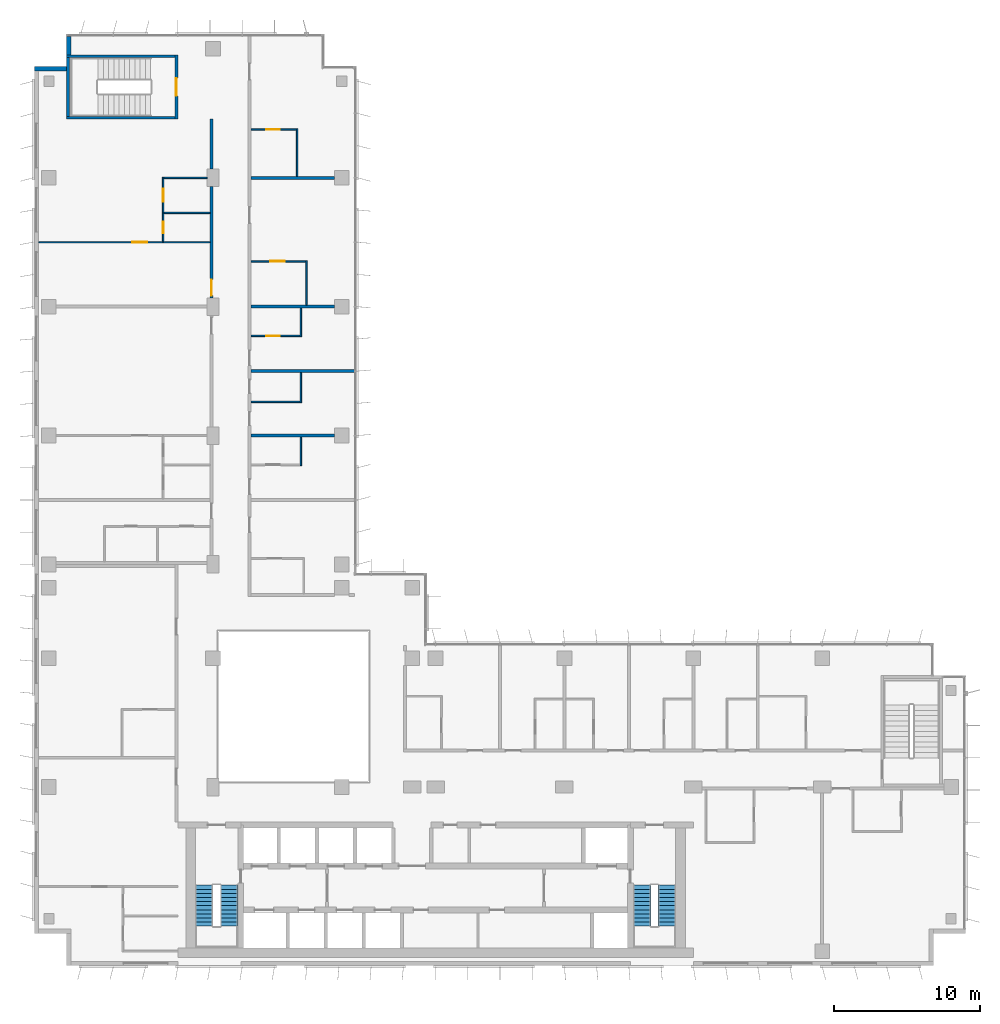
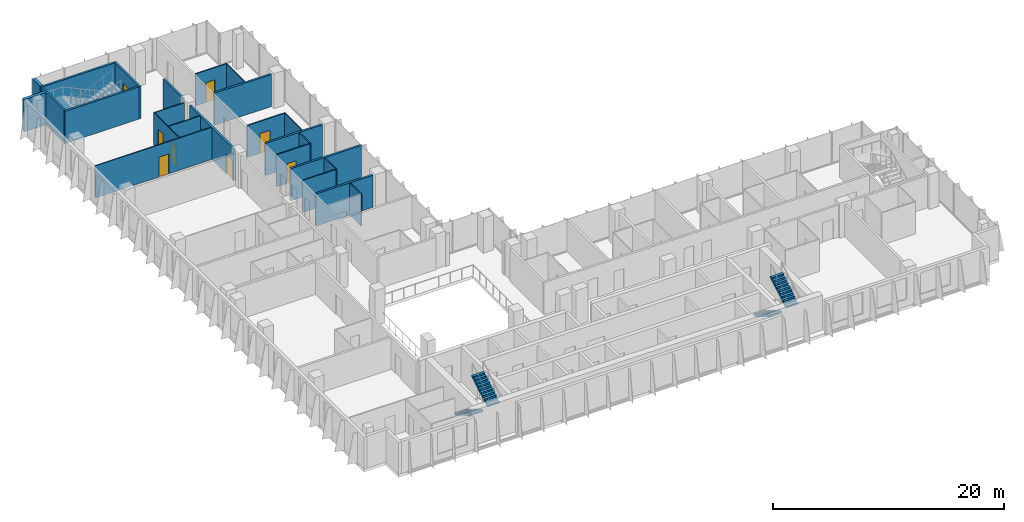
# One storey, part 17 of 21: 25 walls, 8 doors, 4 stair flights, 8 openings, 2 elements without a shape of their own.
"""IFC4 building model written with IfcOpenShell, lengths in metres."""

from ifc_helpers import new_model, si_unit, direction, frame, frame_2d, origin, place, context, subcontext, project, spatial, polyline, rectangle, outline, extrude, material, layer, layer_set, type_object, element, fill, aggregate, save


model = new_model("IFC4")

# Units and contexts
model_context = context("Model", 3, precision=1e-05, world=origin(), true_north=direction((0.0, 1.0)))
body_context = subcontext(model_context, "Body", "Model", "MODEL_VIEW")
ifc_project = project(units=[si_unit("LENGTHUNIT", "METRE"), si_unit("AREAUNIT", "SQUARE_METRE"), si_unit("VOLUMEUNIT", "CUBIC_METRE"), si_unit("PLANEANGLEUNIT", "RADIAN"), si_unit("MASSUNIT", "GRAM", prefix="KILO")], contexts=[model_context])

# Site, building, storey
site_placement = place(None, origin())
site = spatial("IfcSite", under=ifc_project, at=site_placement, CompositionType="ELEMENT")
building_placement = place(site_placement, origin())
building = spatial("IfcBuilding", under=site, at=building_placement, Name="Kemantara Hotel Tower", CompositionType="ELEMENT")
storey_placement = place(building_placement, frame((0.0, 0.0, 171.60009765625)))
storey = spatial("IfcBuildingStorey", under=building, at=storey_placement, Name="L42", CompositionType="ELEMENT", Elevation=171.60009765625)

# Walls
ifc_material_1 = material(Name="Bronze anodised aluminium cladding on insulated steel stud wall", Category="steel")
ifc_layer_1 = layer(ifc_material_1, 0.300048828125)
ifc_layer_set_1 = layer_set([ifc_layer_1], Name="Bronze anodised aluminium cladding on insulated steel stud wall")
wall_type_1 = type_object("IfcWallType", Name="BRONZE METAL-CLAD EXTERNAL WALL 300", PredefinedType="STANDARD", material=ifc_layer_set_1)
wall_1_placement = place(storey_placement, frame((2.35009765625, 63.449951171875, 0.0), z_axis=(0.0, 0.0, 1.0), x_axis=(0.0, -1.0, 0.0)))
element("IfcWall", 1, at=wall_1_placement, inside=storey, type_object=wall_type_1, Name="EXTERNAL WALL L42 T3-R03", PredefinedType="STANDARD", context=body_context, shape_type="SweptSolid", body=[
    extrude(rectangle(XDim=1.25, YDim=0.300048828125, at=frame_2d((0.625, 0.0))), origin(), (0.0, 0.0, 1.0), 3.39990234375),
])
wall_2_placement = place(storey_placement, frame((2.199951171875, 61.25, 0.0), z_axis=(0.0, 0.0, 1.0), x_axis=(-1.0, 0.0, 0.0)))
element("IfcWall", 2, at=wall_2_placement, inside=storey, type_object=wall_type_1, Name="EXTERNAL WALL L42 T3-R04", PredefinedType="STANDARD", context=body_context, shape_type="SweptSolid", body=[
    extrude(rectangle(XDim=2.199951171875, YDim=0.300048828125, at=frame_2d((1.10009765625, 0.0))), origin(), (0.0, 0.0, 1.0), 3.39990234375),
])

# Wall, opening, door
ifc_material_2 = material(Name="Gypsum board partition, steel studs and mineral wool, 200 mm", Category="steel")
ifc_layer_2 = layer(ifc_material_2, 0.199951171875)
ifc_layer_set_2 = layer_set([ifc_layer_2], Name="Gypsum board partition, steel studs and mineral wool, 200 mm")
wall_type_2 = type_object("IfcWallType", Name="CORRIDOR WALL 200", PredefinedType="PARTITIONING", material=ifc_layer_set_2)
wall_3_placement = place(storey_placement, frame((12.10009765625, 45.60009765625, 0.0), z_axis=(0.0, 0.0, 1.0), x_axis=(0.0, 1.0, 0.0)))
wall_3 = element("IfcWall", 3, at=wall_3_placement, inside=storey, type_object=wall_type_2, Name="CORRIDOR WALL 200 018", PredefinedType="PARTITIONING", context=body_context, shape_type="SweptSolid", body=[
    extrude(rectangle(XDim=7.599853515625, YDim=0.199951171875, at=frame_2d((3.7998046875, 0.0))), origin(), (0.0, 0.0, 1.0), 3.39990234375),
])
opening_1_placement = place(wall_3_placement, frame((0.14990234375, 0.0, 0.0)))
opening_1 = element("IfcOpeningElement", 4, at=opening_1_placement, cuts=wall_3, Name="Opening F19-030", PredefinedType="OPENING", context=body_context, shape_type="SweptSolid", body=[
    extrude(rectangle(XDim=1.10009765625, YDim=2.10009765625, at=frame_2d((0.550048828125, 1.050048828125))), frame((0.0, 0.10986328125, 0.0), z_axis=(0.0, -1.0, 0.0), x_axis=(1.0, 0.0, 0.0)), (0.0, 0.0, 1.0), 0.219970703125),
])
ifc_material_3 = material(Name="Hardwood veneer door leaf with steel frame", Category="steel")
door_type_1 = type_object("IfcDoorType", Name="SUITE ENTRANCE DOOR 1100 X 2100 FD30S", OperationType="NOTDEFINED", PredefinedType="DOOR", material=ifc_material_3)
door_1_placement = place(opening_1_placement, origin())
door_1 = element("IfcDoor", 5, at=door_1_placement, inside=storey, type_object=door_type_1, Name="SUITE ENTRANCE DOOR F19-030", OperationType="SINGLE_SWING_LEFT", OverallHeight=2.10009765625, OverallWidth=1.10009765625, PredefinedType="DOOR", context=body_context, shape_type="SweptSolid", body=[
    extrude(rectangle(XDim=1.10009765625, YDim=2.10009765625, at=frame_2d((0.550048828125, 1.050048828125))), frame((0.0, 0.02490234375, 0.0), z_axis=(0.0, -1.0, 0.0), x_axis=(1.0, 0.0, 0.0)), (0.0, 0.0, 1.0), 0.050048828125),
])
fill(opening_1, door_1)

# Wall
wall_4_placement = place(storey_placement, frame((12.10009765625, 54.400146484375, 0.0), z_axis=(0.0, 0.0, 1.0), x_axis=(0.0, 1.0, 0.0)))
element("IfcWall", 6, at=wall_4_placement, inside=storey, type_object=wall_type_2, Name="CORRIDOR WALL 200 019", PredefinedType="PARTITIONING", context=body_context, shape_type="SweptSolid", body=[
    extrude(rectangle(XDim=3.39990234375, YDim=0.199951171875, at=frame_2d((1.699951171875, 0.0))), origin(), (0.0, 0.0, 1.0), 3.39990234375),
])

# Wall, opening, door
ifc_material_4 = material(Name="Concrete fc 40 MPa", Category="concrete")
ifc_layer_3 = layer(ifc_material_4, 0.199951171875)
ifc_layer_set_3 = layer_set([ifc_layer_3], Name="Concrete fc 40 MPa")
wall_type_3 = type_object("IfcWallType", Name="Concrete stair wall 200 mm", PredefinedType="SHEAR", material=ifc_layer_set_3)
wall_5_placement = place(storey_placement, frame((9.699951171875, 57.800048828125, 0.0), z_axis=(0.0, 0.0, 1.0), x_axis=(0.0, 1.0, 0.0)))
wall_5 = element("IfcWall", 7, at=wall_5_placement, inside=storey, type_object=wall_type_3, Name="Stair ST4 enclosure wall with door", PredefinedType="SHEAR", context=body_context, shape_type="SweptSolid", body=[
    extrude(rectangle(XDim=4.39990234375, YDim=0.199951171875, at=frame_2d((2.199951171875, 0.0))), origin(), (0.0, 0.0, 1.0), 3.39990234375),
])
opening_2_placement = place(wall_5_placement, frame((1.60009765625, 0.0, 0.0)))
opening_2 = element("IfcOpeningElement", 8, at=opening_2_placement, cuts=wall_5, Name="Opening ST4-C", PredefinedType="OPENING", context=body_context, shape_type="SweptSolid", body=[
    extrude(rectangle(XDim=1.199951171875, YDim=2.10009765625, at=frame_2d((0.60009765625, 1.050048828125))), frame((0.0, 0.10986328125, 0.0), z_axis=(0.0, -1.0, 0.0), x_axis=(1.0, 0.0, 0.0)), (0.0, 0.0, 1.0), 0.219970703125),
])
ifc_material_5 = material(Name="Steel fire door", Category="steel")
door_type_2 = type_object("IfcDoorType", Name="Fire door FD90 1200 x 2100", OperationType="NOTDEFINED", PredefinedType="DOOR", material=ifc_material_5)
door_2_placement = place(opening_2_placement, origin())
door_2 = element("IfcDoor", 9, at=door_2_placement, inside=storey, type_object=door_type_2, Name="Stair ST4 door", OperationType="SINGLE_SWING_RIGHT", OverallHeight=2.10009765625, OverallWidth=1.199951171875, PredefinedType="DOOR", context=body_context, shape_type="SweptSolid", body=[
    extrude(rectangle(XDim=1.199951171875, YDim=2.10009765625, at=frame_2d((0.60009765625, 1.050048828125))), frame((0.0, 0.02490234375, 0.0), z_axis=(0.0, -1.0, 0.0), x_axis=(1.0, 0.0, 0.0)), (0.0, 0.0, 1.0), 0.050048828125),
])
fill(opening_2, door_2)

# Walls
for number, where, z_axis, x_axis, name in (
    (10, (2.199951171875, 62.10009765625, 0.0), (0.0, 0.0, 1.0), (1.0, 0.0, 0.0), "Stair ST4 enclosure wall N"),
    (11, (2.199951171875, 57.89990234375, 0.0), (0.0, 0.0, 1.0), (1.0, 0.0, 0.0), "Stair ST4 enclosure wall S"),
):
    element("IfcWall", number, at=place(storey_placement, frame(where, z_axis=z_axis, x_axis=x_axis)), inside=storey, type_object=wall_type_3, Name=name, PredefinedType="SHEAR", context=body_context, shape_type="SweptSolid", body=[
        extrude(rectangle(XDim=7.400146484375, YDim=0.199951171875, at=frame_2d((3.7001953125, 0.0))), origin(), (0.0, 0.0, 1.0), 3.39990234375),
    ])
wall_6_placement = place(storey_placement, frame((2.300048828125, 58.0, 0.0), z_axis=(0.0, 0.0, 1.0), x_axis=(0.0, 1.0, 0.0)))
element("IfcWall", 12, at=wall_6_placement, inside=storey, type_object=wall_type_3, Name="Stair ST4 enclosure wall W", PredefinedType="SHEAR", context=body_context, shape_type="SweptSolid", body=[
    extrude(rectangle(XDim=4.0, YDim=0.199951171875, at=frame_2d((2.0, 0.0))), origin(), (0.0, 0.0, 1.0), 3.39990234375),
])
ifc_layer_4 = layer(ifc_material_2, 0.199951171875)
ifc_layer_set_4 = layer_set([ifc_layer_4], Name="Gypsum board partition, steel studs and mineral wool, 200 mm")
wall_type_4 = type_object("IfcWallType", Name="GUEST ROOM PARTY WALL 200", PredefinedType="PARTITIONING", material=ifc_layer_set_4)
for number, where, z_axis, x_axis, name in (
    (13, (14.800048828125, 45.0, 0.0), (0.0, 0.0, 1.0), (1.0, 0.0, 0.0), "GUEST ROOM PARTY WALL 200 024"),
    (14, (14.800048828125, 36.199951171875, 0.0), (0.0, 0.0, 1.0), (1.0, 0.0, 0.0), "GUEST ROOM PARTY WALL 200 028"),
):
    element("IfcWall", number, at=place(storey_placement, frame(where, z_axis=z_axis, x_axis=x_axis)), inside=storey, type_object=wall_type_4, Name=name, PredefinedType="PARTITIONING", context=body_context, shape_type="SweptSolid", body=[
        extrude(rectangle(XDim=5.699951171875, YDim=0.199951171875, at=frame_2d((2.85009765625, 0.0))), origin(), (0.0, 0.0, 1.0), 3.39990234375),
    ])
wall_7_placement = place(storey_placement, frame((14.800048828125, 40.60009765625, 0.0), z_axis=(0.0, 0.0, 1.0), x_axis=(1.0, 0.0, 0.0)))
element("IfcWall", 15, at=wall_7_placement, inside=storey, type_object=wall_type_4, Name="GUEST ROOM PARTY WALL 200 029", PredefinedType="PARTITIONING", context=body_context, shape_type="SweptSolid", body=[
    extrude(rectangle(XDim=7.070068359375, YDim=0.199951171875, at=frame_2d((3.53515625, 0.0))), origin(), (0.0, 0.0, 1.0), 3.39990234375),
])
wall_8_placement = place(storey_placement, frame((14.800048828125, 53.800048828125, 0.0), z_axis=(0.0, 0.0, 1.0), x_axis=(1.0, 0.0, 0.0)))
element("IfcWall", 16, at=wall_8_placement, inside=storey, type_object=wall_type_4, Name="GUEST ROOM PARTY WALL 200 030", PredefinedType="PARTITIONING", context=body_context, shape_type="SweptSolid", body=[
    extrude(rectangle(XDim=5.699951171875, YDim=0.199951171875, at=frame_2d((2.85009765625, 0.0))), origin(), (0.0, 0.0, 1.0), 3.39990234375),
])

# Wall, openings, doors
ifc_material_6 = material(Name="Gypsum board partition on steel studs, 100 mm", Category="steel")
ifc_layer_5 = layer(ifc_material_6, 0.10009765625)
ifc_layer_set_5 = layer_set([ifc_layer_5], Name="Gypsum board partition on steel studs, 100 mm")
wall_type_5 = type_object("IfcWallType", Name="ROOM PARTITION 100", PredefinedType="PARTITIONING", material=ifc_layer_set_5)
wall_9_placement = place(storey_placement, frame((8.800048828125, 53.85009765625, 0.0), z_axis=(0.0, 0.0, 1.0), x_axis=(0.0, -1.0, 0.0)))
wall_9 = element("IfcWall", 17, at=wall_9_placement, inside=storey, type_object=wall_type_5, Name="ROOM PARTITION 100 059", PredefinedType="PARTITIONING", context=body_context, shape_type="SweptSolid", body=[
    extrude(rectangle(XDim=4.400146484375, YDim=0.10009765625, at=frame_2d((2.2001953125, 0.0))), origin(), (0.0, 0.0, 1.0), 3.39990234375),
])
opening_3_placement = place(wall_9_placement, frame((0.800048828125, 0.0, 0.0)))
opening_3 = element("IfcOpeningElement", 18, at=opening_3_placement, cuts=wall_9, Name="Opening F19-032", PredefinedType="OPENING", context=body_context, shape_type="SweptSolid", body=[
    extrude(rectangle(XDim=0.89990234375, YDim=2.10009765625, at=frame_2d((0.449951171875, 1.050048828125))), frame((0.0, 0.06005859375, 0.0), z_axis=(0.0, -1.0, 0.0), x_axis=(1.0, 0.0, 0.0)), (0.0, 0.0, 1.0), 0.1201171875),
])
opening_4_placement = place(wall_9_placement, frame((3.050048828125, 0.0, 0.0)))
opening_4 = element("IfcOpeningElement", 19, at=opening_4_placement, cuts=wall_9, Name="Opening F19-033", PredefinedType="OPENING", context=body_context, shape_type="SweptSolid", body=[
    extrude(rectangle(XDim=0.800048828125, YDim=2.10009765625, at=frame_2d((0.39990234375, 1.050048828125))), frame((0.0, 0.06005859375, 0.0), z_axis=(0.0, -1.0, 0.0), x_axis=(1.0, 0.0, 0.0)), (0.0, 0.0, 1.0), 0.1201171875),
])
door_type_3 = type_object("IfcDoorType", Name="BATHROOM DOOR 900 X 2100", OperationType="NOTDEFINED", PredefinedType="DOOR", material=ifc_material_3)
door_3_placement = place(opening_3_placement, origin())
door_3 = element("IfcDoor", 20, at=door_3_placement, inside=storey, type_object=door_type_3, Name="BATHROOM DOOR F19-032", OperationType="SINGLE_SWING_RIGHT", OverallHeight=2.10009765625, OverallWidth=0.89990234375, PredefinedType="DOOR", context=body_context, shape_type="SweptSolid", body=[
    extrude(rectangle(XDim=0.89990234375, YDim=2.10009765625, at=frame_2d((0.449951171875, 1.050048828125))), frame((0.0, 0.02490234375, 0.0), z_axis=(0.0, -1.0, 0.0), x_axis=(1.0, 0.0, 0.0)), (0.0, 0.0, 1.0), 0.050048828125),
])
fill(opening_3, door_3)
door_type_4 = type_object("IfcDoorType", Name="WARDROBE DOOR 800 X 2100", OperationType="NOTDEFINED", PredefinedType="DOOR", material=ifc_material_3)
door_4_placement = place(opening_4_placement, origin())
door_4 = element("IfcDoor", 21, at=door_4_placement, inside=storey, type_object=door_type_4, Name="WARDROBE DOOR F19-033", OperationType="SINGLE_SWING_RIGHT", OverallHeight=2.10009765625, OverallWidth=0.800048828125, PredefinedType="DOOR", context=body_context, shape_type="SweptSolid", body=[
    extrude(rectangle(XDim=0.800048828125, YDim=2.10009765625, at=frame_2d((0.39990234375, 1.050048828125))), frame((0.0, 0.02490234375, 0.0), z_axis=(0.0, -1.0, 0.0), x_axis=(1.0, 0.0, 0.0)), (0.0, 0.0, 1.0), 0.050048828125),
])
fill(opening_4, door_4)

# Wall, opening, door
wall_10_placement = place(storey_placement, frame((0.31005859375, 49.39990234375, 0.0), z_axis=(0.0, 0.0, 1.0), x_axis=(1.0, 0.0, 0.0)))
wall_10 = element("IfcWall", 22, at=wall_10_placement, inside=storey, type_object=wall_type_5, Name="ROOM PARTITION 100 063", PredefinedType="PARTITIONING", context=body_context, shape_type="SweptSolid", body=[
    extrude(rectangle(XDim=11.68994140625, YDim=0.10009765625, at=frame_2d((5.844970703125, 0.0))), origin(), (0.0, 0.0, 1.0), 3.39990234375),
])
opening_5_placement = place(wall_10_placement, frame((6.389892578125, 0.0, 0.0)))
opening_5 = element("IfcOpeningElement", 23, at=opening_5_placement, cuts=wall_10, Name="Opening F19-031", PredefinedType="OPENING", context=body_context, shape_type="SweptSolid", body=[
    extrude(rectangle(XDim=1.0, YDim=2.10009765625, at=frame_2d((0.5, 1.050048828125))), frame((0.0, 0.06005859375, 0.0), z_axis=(0.0, -1.0, 0.0), x_axis=(1.0, 0.0, 0.0)), (0.0, 0.0, 1.0), 0.1201171875),
])
door_type_5 = type_object("IfcDoorType", Name="INTERNAL DOOR 1000 X 2100", OperationType="NOTDEFINED", PredefinedType="DOOR", material=ifc_material_3)
door_5_placement = place(opening_5_placement, origin())
door_5 = element("IfcDoor", 24, at=door_5_placement, inside=storey, type_object=door_type_5, Name="INTERNAL DOOR F19-031", OperationType="SINGLE_SWING_RIGHT", OverallHeight=2.10009765625, OverallWidth=1.0, PredefinedType="DOOR", context=body_context, shape_type="SweptSolid", body=[
    extrude(rectangle(XDim=1.0, YDim=2.10009765625, at=frame_2d((0.5, 1.050048828125))), frame((0.0, 0.02490234375, 0.0), z_axis=(0.0, -1.0, 0.0), x_axis=(1.0, 0.0, 0.0)), (0.0, 0.0, 1.0), 0.050048828125),
])
fill(opening_5, door_5)

# Walls
wall_11_placement = place(storey_placement, frame((8.85009765625, 53.800048828125, 0.0), z_axis=(0.0, 0.0, 1.0), x_axis=(1.0, 0.0, 0.0)))
element("IfcWall", 25, at=wall_11_placement, inside=storey, type_object=wall_type_5, Name="ROOM PARTITION 100 064", PredefinedType="PARTITIONING", context=body_context, shape_type="SweptSolid", body=[
    extrude(rectangle(XDim=2.94970703125, YDim=0.10009765625, at=frame_2d((1.474853515625, 0.0))), origin(), (0.0, 0.0, 1.0), 3.39990234375),
])
wall_12_placement = place(storey_placement, frame((8.85009765625, 51.39990234375, 0.0), z_axis=(0.0, 0.0, 1.0), x_axis=(1.0, 0.0, 0.0)))
element("IfcWall", 26, at=wall_12_placement, inside=storey, type_object=wall_type_5, Name="ROOM PARTITION 100 065", PredefinedType="PARTITIONING", context=body_context, shape_type="SweptSolid", body=[
    extrude(rectangle(XDim=3.14990234375, YDim=0.10009765625, at=frame_2d((1.574951171875, 0.0))), origin(), (0.0, 0.0, 1.0), 3.39990234375),
])
wall_13_placement = place(storey_placement, frame((18.199951171875, 34.14990234375, 0.0), z_axis=(0.0, 0.0, 1.0), x_axis=(0.0, 1.0, 0.0)))
element("IfcWall", 27, at=wall_13_placement, inside=storey, type_object=wall_type_5, Name="ROOM PARTITION 100 068", PredefinedType="PARTITIONING", context=body_context, shape_type="SweptSolid", body=[
    extrude(rectangle(XDim=1.9501953125, YDim=0.10009765625, at=frame_2d((0.97509765625, 0.0))), origin(), (0.0, 0.0, 1.0), 3.39990234375),
])
wall_14_placement = place(storey_placement, frame((18.199951171875, 38.449951171875, 0.0), z_axis=(0.0, 0.0, 1.0), x_axis=(0.0, 1.0, 0.0)))
element("IfcWall", 28, at=wall_14_placement, inside=storey, type_object=wall_type_5, Name="ROOM PARTITION 100 069", PredefinedType="PARTITIONING", context=body_context, shape_type="SweptSolid", body=[
    extrude(rectangle(XDim=2.050048828125, YDim=0.10009765625, at=frame_2d((1.02490234375, 0.0))), origin(), (0.0, 0.0, 1.0), 3.39990234375),
])
wall_15_placement = place(storey_placement, frame((18.199951171875, 42.949951171875, 0.0), z_axis=(0.0, 0.0, 1.0), x_axis=(0.0, 1.0, 0.0)))
element("IfcWall", 29, at=wall_15_placement, inside=storey, type_object=wall_type_5, Name="ROOM PARTITION 100 070", PredefinedType="PARTITIONING", context=body_context, shape_type="SweptSolid", body=[
    extrude(rectangle(XDim=1.949951171875, YDim=0.10009765625, at=frame_2d((0.97509765625, 0.0))), origin(), (0.0, 0.0, 1.0), 3.39990234375),
])
wall_16_placement = place(storey_placement, frame((14.800048828125, 38.5, 0.0), z_axis=(0.0, 0.0, 1.0), x_axis=(1.0, 0.0, 0.0)))
element("IfcWall", 30, at=wall_16_placement, inside=storey, type_object=wall_type_5, Name="ROOM PARTITION 100 071", PredefinedType="PARTITIONING", context=body_context, shape_type="SweptSolid", body=[
    extrude(rectangle(XDim=3.349853515625, YDim=0.10009765625, at=frame_2d((1.6748046875, 0.0))), origin(), (0.0, 0.0, 1.0), 3.39990234375),
])

# Wall, opening, door
wall_17_placement = place(storey_placement, frame((14.800048828125, 43.0, 0.0), z_axis=(0.0, 0.0, 1.0), x_axis=(1.0, 0.0, 0.0)))
wall_17 = element("IfcWall", 31, at=wall_17_placement, inside=storey, type_object=wall_type_5, Name="ROOM PARTITION 100 072", PredefinedType="PARTITIONING", context=body_context, shape_type="SweptSolid", body=[
    extrude(rectangle(XDim=3.349853515625, YDim=0.10009765625, at=frame_2d((1.6748046875, 0.0))), origin(), (0.0, 0.0, 1.0), 3.39990234375),
])
opening_6_placement = place(wall_17_placement, frame((1.050048828125, 0.0, 0.0)))
opening_6 = element("IfcOpeningElement", 32, at=opening_6_placement, cuts=wall_17, Name="Opening F19-041", PredefinedType="OPENING", context=body_context, shape_type="SweptSolid", body=[
    extrude(rectangle(XDim=0.89990234375, YDim=2.10009765625, at=frame_2d((0.449951171875, 1.050048828125))), frame((0.0, 0.06005859375, 0.0), z_axis=(0.0, -1.0, 0.0), x_axis=(1.0, 0.0, 0.0)), (0.0, 0.0, 1.0), 0.1201171875),
])
door_6_placement = place(opening_6_placement, origin())
door_6 = element("IfcDoor", 33, at=door_6_placement, inside=storey, type_object=door_type_3, Name="BATHROOM DOOR F19-041", OperationType="SINGLE_SWING_LEFT", OverallHeight=2.10009765625, OverallWidth=0.89990234375, PredefinedType="DOOR", context=body_context, shape_type="SweptSolid", body=[
    extrude(rectangle(XDim=0.89990234375, YDim=2.10009765625, at=frame_2d((0.449951171875, 1.050048828125))), frame((0.0, 0.02490234375, 0.0), z_axis=(0.0, -1.0, 0.0), x_axis=(1.0, 0.0, 0.0)), (0.0, 0.0, 1.0), 0.050048828125),
])
fill(opening_6, door_6)

# Wall
wall_18_placement = place(storey_placement, frame((18.60009765625, 45.10009765625, 0.0), z_axis=(0.0, 0.0, 1.0), x_axis=(0.0, 1.0, 0.0)))
element("IfcWall", 34, at=wall_18_placement, inside=storey, type_object=wall_type_5, Name="ROOM PARTITION 100 073", PredefinedType="PARTITIONING", context=body_context, shape_type="SweptSolid", body=[
    extrude(rectangle(XDim=3.0498046875, YDim=0.10009765625, at=frame_2d((1.52490234375, 0.0))), origin(), (0.0, 0.0, 1.0), 3.39990234375),
])

# Wall, opening, door
wall_19_placement = place(storey_placement, frame((18.550048828125, 48.10009765625, 0.0), z_axis=(0.0, 0.0, 1.0), x_axis=(-1.0, 0.0, 0.0)))
wall_19 = element("IfcWall", 35, at=wall_19_placement, inside=storey, type_object=wall_type_5, Name="ROOM PARTITION 100 074", PredefinedType="PARTITIONING", context=body_context, shape_type="SweptSolid", body=[
    extrude(rectangle(XDim=3.75, YDim=0.10009765625, at=frame_2d((1.875, 0.0))), origin(), (0.0, 0.0, 1.0), 3.39990234375),
])
opening_7_placement = place(wall_19_placement, frame((1.449951171875, 0.0, 0.0)))
opening_7 = element("IfcOpeningElement", 36, at=opening_7_placement, cuts=wall_19, Name="Opening F19-043", PredefinedType="OPENING", context=body_context, shape_type="SweptSolid", body=[
    extrude(rectangle(XDim=1.0, YDim=2.10009765625, at=frame_2d((0.5, 1.050048828125))), frame((0.0, 0.06005859375, 0.0), z_axis=(0.0, -1.0, 0.0), x_axis=(1.0, 0.0, 0.0)), (0.0, 0.0, 1.0), 0.1201171875),
])
door_type_6 = type_object("IfcDoorType", Name="BATHROOM DOOR 1000 X 2100", OperationType="NOTDEFINED", PredefinedType="DOOR", material=ifc_material_3)
door_7_placement = place(opening_7_placement, origin())
door_7 = element("IfcDoor", 37, at=door_7_placement, inside=storey, type_object=door_type_6, Name="BATHROOM DOOR F19-043", OperationType="SINGLE_SWING_RIGHT", OverallHeight=2.10009765625, OverallWidth=1.0, PredefinedType="DOOR", context=body_context, shape_type="SweptSolid", body=[
    extrude(rectangle(XDim=1.0, YDim=2.10009765625, at=frame_2d((0.5, 1.050048828125))), frame((0.0, 0.02490234375, 0.0), z_axis=(0.0, -1.0, 0.0), x_axis=(1.0, 0.0, 0.0)), (0.0, 0.0, 1.0), 0.050048828125),
])
fill(opening_7, door_7)

# Wall
wall_20_placement = place(storey_placement, frame((17.949951171875, 53.89990234375, 0.0), z_axis=(0.0, 0.0, 1.0), x_axis=(0.0, 1.0, 0.0)))
element("IfcWall", 38, at=wall_20_placement, inside=storey, type_object=wall_type_5, Name="ROOM PARTITION 100 075", PredefinedType="PARTITIONING", context=body_context, shape_type="SweptSolid", body=[
    extrude(rectangle(XDim=3.25, YDim=0.10009765625, at=frame_2d((1.625, 0.0))), origin(), (0.0, 0.0, 1.0), 3.39990234375),
])

# Wall, opening, door
wall_21_placement = place(storey_placement, frame((17.89990234375, 57.10009765625, 0.0), z_axis=(0.0, 0.0, 1.0), x_axis=(-1.0, 0.0, 0.0)))
wall_21 = element("IfcWall", 39, at=wall_21_placement, inside=storey, type_object=wall_type_5, Name="ROOM PARTITION 100 076", PredefinedType="PARTITIONING", context=body_context, shape_type="SweptSolid", body=[
    extrude(rectangle(XDim=3.099853515625, YDim=0.10009765625, at=frame_2d((1.5498046875, 0.0))), origin(), (0.0, 0.0, 1.0), 3.39990234375),
])
opening_8_placement = place(wall_21_placement, frame((1.14990234375, 0.0, 0.0)))
opening_8 = element("IfcOpeningElement", 40, at=opening_8_placement, cuts=wall_21, Name="Opening F19-045", PredefinedType="OPENING", context=body_context, shape_type="SweptSolid", body=[
    extrude(rectangle(XDim=0.89990234375, YDim=2.10009765625, at=frame_2d((0.449951171875, 1.050048828125))), frame((0.0, 0.06005859375, 0.0), z_axis=(0.0, -1.0, 0.0), x_axis=(1.0, 0.0, 0.0)), (0.0, 0.0, 1.0), 0.1201171875),
])
door_8_placement = place(opening_8_placement, origin())
door_8 = element("IfcDoor", 41, at=door_8_placement, inside=storey, type_object=door_type_3, Name="BATHROOM DOOR F19-045", OperationType="SINGLE_SWING_RIGHT", OverallHeight=2.10009765625, OverallWidth=0.89990234375, PredefinedType="DOOR", context=body_context, shape_type="SweptSolid", body=[
    extrude(rectangle(XDim=0.89990234375, YDim=2.10009765625, at=frame_2d((0.449951171875, 1.050048828125))), frame((0.0, 0.02490234375, 0.0), z_axis=(0.0, -1.0, 0.0), x_axis=(1.0, 0.0, 0.0)), (0.0, 0.0, 1.0), 0.050048828125),
])
fill(opening_8, door_8)

# Stair, stair flights
stair_type = type_object("IfcStairType", Name="Stair 1200 wide 22 risers of 168 x 280 mm", PredefinedType="HALF_TURN_STAIR", material=ifc_material_4)
stair_1_placement = place(storey_placement, origin())
stair_1 = element("IfcStair", 42, at=stair_1_placement, inside=storey, type_object=stair_type, Name="L42 Exit stair ST1", PredefinedType="HALF_TURN_STAIR")
stair_flight_type = type_object("IfcStairFlightType", Name="Stair flight 1200 wide 168 x 280 mm", PredefinedType="STRAIGHT", material=ifc_material_4)
stair_flight_1_placement = place(storey_placement, frame((11.60009765625, 5.5, 0.0), z_axis=(0.0, 0.0, 1.0), x_axis=(0.0, -1.0, 0.0)))
stair_flight_1 = element("IfcStairFlight", 43, at=stair_flight_1_placement, type_object=stair_flight_type, Name="ST1 flight 1", NumberOfRisers=11, NumberOfTreads=10, PredefinedType="STRAIGHT", RiserHeight=0.168181818, TreadLength=0.28, context=body_context, shape_type="SweptSolid", body=[
    extrude(outline(polyline([(0.0, 0.0), (0.0, 0.168212890625), (0.280029296875, 0.168212890625), (0.280029296875, 0.33642578125), (0.56005859375, 0.33642578125), (0.56005859375, 0.504638671875), (0.840087890625, 0.504638671875), (0.840087890625, 0.672607421875), (1.1201171875, 0.672607421875), (1.1201171875, 0.8408203125), (1.39990234375, 0.8408203125), (1.39990234375, 1.009033203125), (1.679931640625, 1.009033203125), (1.679931640625, 1.17724609375), (1.9599609375, 1.17724609375), (1.9599609375, 1.345458984375), (2.239990234375, 1.345458984375), (2.239990234375, 1.513671875), (2.52001953125, 1.513671875), (2.52001953125, 1.681884765625), (2.800048828125, 1.681884765625), (2.800048828125, 1.85009765625), (2.800048828125, 1.5068359375), (0.291015625, 0.0), (0.0, 0.0)])), frame((0.0, 0.60009765625, 0.0), z_axis=(0.0, -1.0, 0.0), x_axis=(1.0, 0.0, 0.0)), (0.0, 0.0, 1.0), 1.199951171875),
])
stair_flight_2_placement = place(storey_placement, frame((13.300048828125, 2.699951171875, 1.849853515625), z_axis=(0.0, 0.0, 1.0), x_axis=(0.0, 1.0, 0.0)))
stair_flight_2 = element("IfcStairFlight", 44, at=stair_flight_2_placement, type_object=stair_flight_type, Name="ST1 flight 2", NumberOfRisers=11, NumberOfTreads=10, PredefinedType="STRAIGHT", RiserHeight=0.168181818, TreadLength=0.28, context=body_context, shape_type="SweptSolid", body=[
    extrude(outline(polyline([(0.0, 0.0), (0.0, 0.168212890625), (0.280029296875, 0.168212890625), (0.280029296875, 0.33642578125), (0.56005859375, 0.33642578125), (0.56005859375, 0.504638671875), (0.840087890625, 0.504638671875), (0.840087890625, 0.672607421875), (1.1201171875, 0.672607421875), (1.1201171875, 0.8408203125), (1.39990234375, 0.8408203125), (1.39990234375, 1.009033203125), (1.679931640625, 1.009033203125), (1.679931640625, 1.17724609375), (1.9599609375, 1.17724609375), (1.9599609375, 1.345458984375), (2.239990234375, 1.345458984375), (2.239990234375, 1.513671875), (2.52001953125, 1.513671875), (2.52001953125, 1.681884765625), (2.800048828125, 1.681884765625), (2.800048828125, 1.85009765625), (2.800048828125, 1.5068359375), (0.291015625, 0.0), (0.0, 0.0)])), frame((0.0, 0.60009765625, 0.0), z_axis=(0.0, -1.0, 0.0), x_axis=(1.0, 0.0, 0.0)), (0.0, 0.0, 1.0), 1.199951171875),
])
aggregate(stair_1, [stair_flight_1, stair_flight_2])

stair_2_placement = place(storey_placement, origin())
stair_2 = element("IfcStair", 45, at=stair_2_placement, inside=storey, type_object=stair_type, Name="L42 Exit stair ST2", PredefinedType="HALF_TURN_STAIR")
stair_flight_3_placement = place(storey_placement, frame((41.5, 5.5, 0.0), z_axis=(0.0, 0.0, 1.0), x_axis=(0.0, -1.0, 0.0)))
stair_flight_3 = element("IfcStairFlight", 46, at=stair_flight_3_placement, type_object=stair_flight_type, Name="ST2 flight 1", NumberOfRisers=11, NumberOfTreads=10, PredefinedType="STRAIGHT", RiserHeight=0.168181818, TreadLength=0.28, context=body_context, shape_type="SweptSolid", body=[
    extrude(outline(polyline([(0.0, 0.0), (0.0, 0.168212890625), (0.280029296875, 0.168212890625), (0.280029296875, 0.33642578125), (0.56005859375, 0.33642578125), (0.56005859375, 0.504638671875), (0.840087890625, 0.504638671875), (0.840087890625, 0.672607421875), (1.1201171875, 0.672607421875), (1.1201171875, 0.8408203125), (1.39990234375, 0.8408203125), (1.39990234375, 1.009033203125), (1.679931640625, 1.009033203125), (1.679931640625, 1.17724609375), (1.9599609375, 1.17724609375), (1.9599609375, 1.345458984375), (2.239990234375, 1.345458984375), (2.239990234375, 1.513671875), (2.52001953125, 1.513671875), (2.52001953125, 1.681884765625), (2.800048828125, 1.681884765625), (2.800048828125, 1.85009765625), (2.800048828125, 1.5068359375), (0.291015625, 0.0), (0.0, 0.0)])), frame((0.0, 0.60009765625, 0.0), z_axis=(0.0, -1.0, 0.0), x_axis=(1.0, 0.0, 0.0)), (0.0, 0.0, 1.0), 1.199951171875),
])
stair_flight_4_placement = place(storey_placement, frame((43.199951171875, 2.699951171875, 1.849853515625), z_axis=(0.0, 0.0, 1.0), x_axis=(0.0, 1.0, 0.0)))
stair_flight_4 = element("IfcStairFlight", 47, at=stair_flight_4_placement, type_object=stair_flight_type, Name="ST2 flight 2", NumberOfRisers=11, NumberOfTreads=10, PredefinedType="STRAIGHT", RiserHeight=0.168181818, TreadLength=0.28, context=body_context, shape_type="SweptSolid", body=[
    extrude(outline(polyline([(0.0, 0.0), (0.0, 0.168212890625), (0.280029296875, 0.168212890625), (0.280029296875, 0.33642578125), (0.56005859375, 0.33642578125), (0.56005859375, 0.504638671875), (0.840087890625, 0.504638671875), (0.840087890625, 0.672607421875), (1.1201171875, 0.672607421875), (1.1201171875, 0.8408203125), (1.39990234375, 0.8408203125), (1.39990234375, 1.009033203125), (1.679931640625, 1.009033203125), (1.679931640625, 1.17724609375), (1.9599609375, 1.17724609375), (1.9599609375, 1.345458984375), (2.239990234375, 1.345458984375), (2.239990234375, 1.513671875), (2.52001953125, 1.513671875), (2.52001953125, 1.681884765625), (2.800048828125, 1.681884765625), (2.800048828125, 1.85009765625), (2.800048828125, 1.5068359375), (0.291015625, 0.0), (0.0, 0.0)])), frame((0.0, 0.60009765625, 0.0), z_axis=(0.0, -1.0, 0.0), x_axis=(1.0, 0.0, 0.0)), (0.0, 0.0, 1.0), 1.199951171875),
])
aggregate(stair_2, [stair_flight_3, stair_flight_4])

save(model, "model.ifc")
